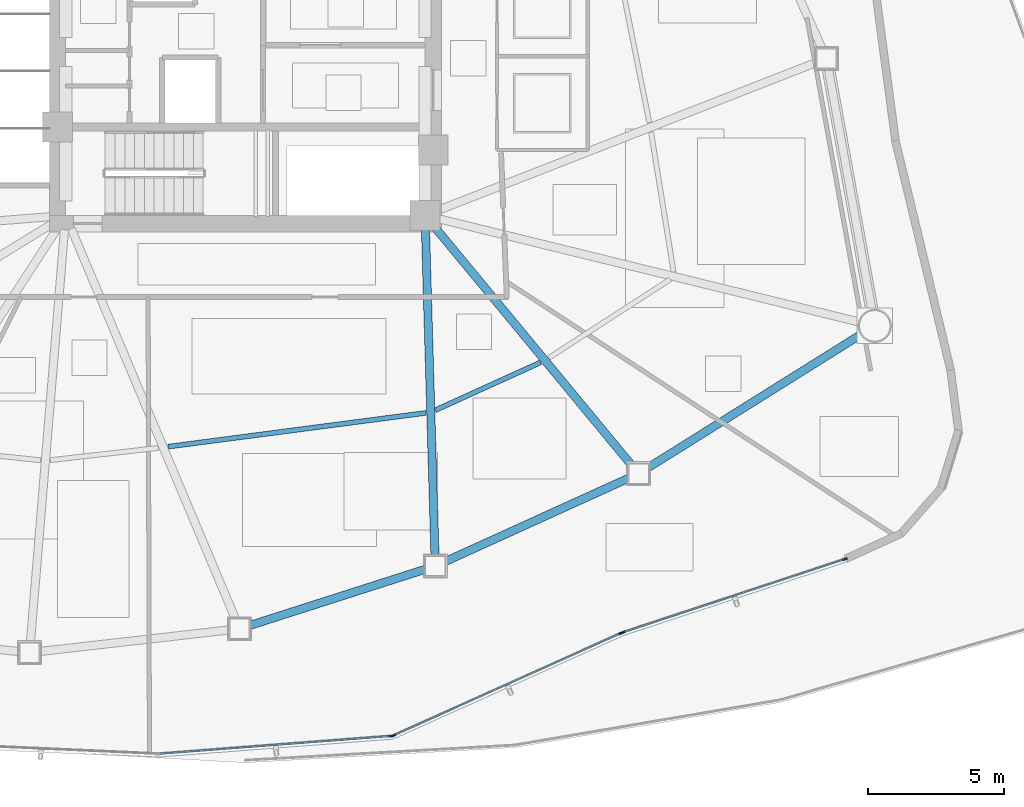
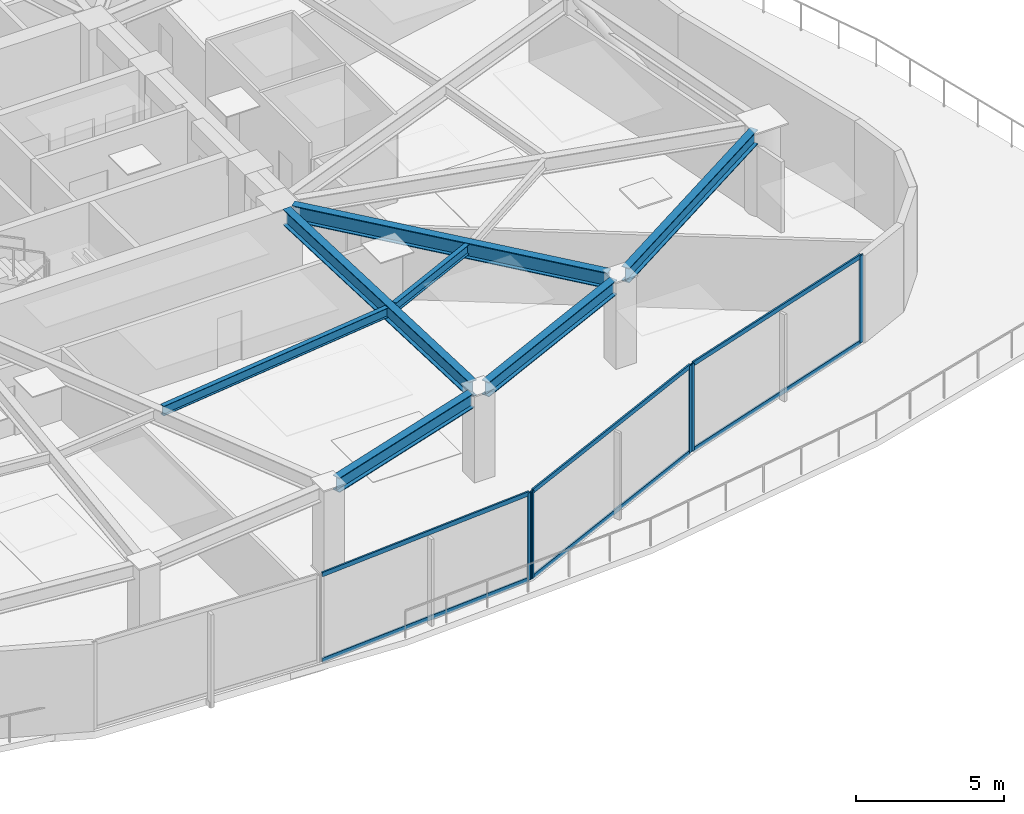
# One storey, part 5 of 19: 11 members, 7 beams, 3 elements without a shape of their own.
"""IFC4 building model written with IfcOpenShell, lengths in metres."""

from ifc_helpers import new_model, si_unit, direction, frame, origin, origin_2d, place, context, subcontext, project, spatial, hollow_rectangle, i_section, extrude, source, transform, mapped, material, layer, layer_set, material_profile, profile_set, type_object, type_shapes, element, aggregate, save


model = new_model("IFC4")

# Units and contexts
model_context = context("Model", 3, precision=1e-05, world=origin(), true_north=direction((0.0, 1.0)))
body_context = subcontext(model_context, "Body", "Model", "MODEL_VIEW")
ifc_project = project(units=[si_unit("LENGTHUNIT", "METRE"), si_unit("AREAUNIT", "SQUARE_METRE"), si_unit("VOLUMEUNIT", "CUBIC_METRE"), si_unit("PLANEANGLEUNIT", "RADIAN"), si_unit("MASSUNIT", "GRAM", prefix="KILO")], contexts=[model_context])

# Site, building, storey
site_placement = place(None, origin())
site = spatial("IfcSite", under=ifc_project, at=site_placement, CompositionType="ELEMENT")
building_placement = place(site_placement, origin())
building = spatial("IfcBuilding", under=site, at=building_placement, Name="Tavelor Broadcast Tower", CompositionType="ELEMENT")
storey_placement = place(building_placement, frame((0.0, 0.0, 27.60009765625)))
storey = spatial("IfcBuildingStorey", under=building, at=storey_placement, Name="L05", CompositionType="ELEMENT", Elevation=27.60009765625)

# Beams
ifc_material_1 = material(Name="Steel S355", Category="steel")
ifc_material_profile_1 = material_profile(ifc_material_1, i_section(OverallWidth=0.179931640625, OverallDepth=0.39990234375, WebThickness=0.008544921875, FlangeThickness=0.013427734375, at=origin_2d()), Name="IPE 400")
ifc_profile_set_1 = profile_set([ifc_material_profile_1], Name="Steel S355")
beam_type_1 = type_object("IfcBeamType", Name="Composite Floor Joist T1 IPE 400", PredefinedType="JOIST", material=ifc_profile_set_1)
beam_1_placement = place(storey_placement, frame((47.16259765625, 30.3056640625, 3.39990234375), z_axis=(0.991514230948, 0.129998191635, 0.0), x_axis=(-0.129998191635, 0.991514230948, 0.0)))
element("IfcBeam", 1, at=beam_1_placement, inside=storey, type_object=beam_type_1, Name="L05 Secondary Composite Floor Joist 10", PredefinedType="JOIST", context=body_context, shape_type="SweptSolid", body=[
    extrude(i_section(OverallWidth=0.179931640625, OverallDepth=0.39990234375, WebThickness=0.008544921875, FlangeThickness=0.013427734375, at=origin_2d()), origin(), (0.0, 0.0, 1.0), 9.5498046875),
])
beam_2_placement = place(storey_placement, frame((56.9755859375, 31.6455078125, 3.39990234375), z_axis=(0.910480737696, 0.413551479607, 0.0), x_axis=(-0.413551479607, 0.910480737696, 0.0)))
element("IfcBeam", 2, at=beam_2_placement, inside=storey, type_object=beam_type_1, Name="L05 Secondary Composite Floor Joist 11", PredefinedType="JOIST", context=body_context, shape_type="SweptSolid", body=[
    extrude(i_section(OverallWidth=0.179931640625, OverallDepth=0.39990234375, WebThickness=0.008544921875, FlangeThickness=0.013427734375, at=origin_2d()), origin(), (0.0, 0.0, 1.0), 4.242919921875),
])
ifc_material_profile_2 = material_profile(ifc_material_1, i_section(OverallWidth=0.300048828125, OverallDepth=0.60009765625, WebThickness=0.015380859375, FlangeThickness=0.030029296875, at=origin_2d()), Name="HEB 600")
ifc_profile_set_2 = profile_set([ifc_material_profile_2], Name="Steel S355")
beam_type_2 = type_object("IfcBeamType", Name="Perimeter Spandrel Beam T1 HEB 600", PredefinedType="SPANDREL", material=ifc_profile_set_2)
beam_3_placement = place(storey_placement, frame((50.15234375, 23.735107421875, 3.2998046875), z_axis=(0.952305764648, 0.305145425362, 0.0), x_axis=(-0.305145425362, 0.952305764648, 0.0)))
element("IfcBeam", 3, at=beam_3_placement, inside=storey, type_object=beam_type_2, Name="L05 Framed-Tube Ring Spandrel 10", PredefinedType="SPANDREL", context=body_context, shape_type="SweptSolid", body=[
    extrude(i_section(OverallWidth=0.300048828125, OverallDepth=0.60009765625, WebThickness=0.015380859375, FlangeThickness=0.030029296875, at=origin_2d()), origin(), (0.0, 0.0, 1.0), 6.78076171875),
])
beam_4_placement = place(storey_placement, frame((57.324951171875, 26.080322265625, 3.2998046875), z_axis=(0.910424944341, 0.413674293039, 0.0), x_axis=(-0.413674293039, 0.910424944341, 0.0)))
element("IfcBeam", 4, at=beam_4_placement, inside=storey, type_object=beam_type_2, Name="L05 Framed-Tube Ring Spandrel 11", PredefinedType="SPANDREL", context=body_context, shape_type="SweptSolid", body=[
    extrude(i_section(OverallWidth=0.300048828125, OverallDepth=0.60009765625, WebThickness=0.015380859375, FlangeThickness=0.030029296875, at=origin_2d()), origin(), (0.0, 0.0, 1.0), 7.43505859375),
])
beam_5_placement = place(storey_placement, frame((64.76904296875, 29.518798828125, 3.2998046875), z_axis=(0.847667977469, 0.530527096361, 0.0), x_axis=(-0.530527096361, 0.847667977469, 0.0)))
element("IfcBeam", 5, at=beam_5_placement, inside=storey, type_object=beam_type_2, Name="L05 Framed-Tube Ring Spandrel 12", PredefinedType="SPANDREL", context=body_context, shape_type="SweptSolid", body=[
    extrude(i_section(OverallWidth=0.300048828125, OverallDepth=0.60009765625, WebThickness=0.015380859375, FlangeThickness=0.030029296875, at=origin_2d()), origin(), (0.0, 0.0, 1.0), 9.263916015625),
])
ifc_material_profile_3 = material_profile(ifc_material_1, i_section(OverallWidth=0.300048828125, OverallDepth=0.64990234375, WebThickness=0.01611328125, FlangeThickness=0.031005859375, at=origin_2d()), Name="HEB 650")
ifc_profile_set_3 = profile_set([ifc_material_profile_3], Name="Steel S355")
beam_type_3 = type_object("IfcBeamType", Name="Radial Floor Girder T1 HEB 650", PredefinedType="BEAM", material=ifc_profile_set_3)
beam_6_placement = place(storey_placement, frame((56.615478515625, 38.272216796875, 3.27490234375), z_axis=(0.02912098859, -0.999575894079, 0.0), x_axis=(0.999575894079, 0.02912098859, 0.0)))
element("IfcBeam", 6, at=beam_6_placement, inside=storey, type_object=beam_type_3, Name="L05 Radial Primary Floor Girder 11", PredefinedType="BEAM", context=body_context, shape_type="SweptSolid", body=[
    extrude(i_section(OverallWidth=0.300048828125, OverallDepth=0.64990234375, WebThickness=0.01611328125, FlangeThickness=0.031005859375, at=origin_2d()), origin(), (0.0, 0.0, 1.0), 11.971923828125),
])
beam_7_placement = place(storey_placement, frame((56.9365234375, 38.39306640625, 3.27490234375), z_axis=(0.63726338108, -0.770646081632, 0.0), x_axis=(0.770646081632, 0.63726338108, 0.0)))
element("IfcBeam", 7, at=beam_7_placement, inside=storey, type_object=beam_type_3, Name="L05 Radial Primary Floor Girder 12", PredefinedType="BEAM", context=body_context, shape_type="SweptSolid", body=[
    extrude(i_section(OverallWidth=0.300048828125, OverallDepth=0.64990234375, WebThickness=0.01611328125, FlangeThickness=0.031005859375, at=origin_2d()), origin(), (0.0, 0.0, 1.0), 11.39599609375),
])

# Curtain wall, member
ifc_material_2 = material(Name="Architectural Anodized Aluminium", Category="aluminium")
ifc_layer = layer(ifc_material_2, 0.179931640625)
ifc_layer_set = layer_set([ifc_layer], Name="Architectural Anodized Aluminium")
curtain_wall_type = type_object("IfcCurtainWallType", Name="Tower Low-Zone Unitised Curtain Wall CW02", PredefinedType="NOTDEFINED", material=ifc_layer_set)
curtain_wall_1_placement = place(storey_placement, origin())
curtain_wall_1 = element("IfcCurtainWall", 8, at=curtain_wall_1_placement, inside=storey, type_object=curtain_wall_type, Name="L05 Curtain Wall CW02 Run 18", PredefinedType="NOTDEFINED")
ifc_material_profile_4 = material_profile(ifc_material_2, hollow_rectangle(XDim=0.06494140625, YDim=0.179931640625, WallThickness=0.02197265625, at=origin_2d()), Name="RHS 65x180x22")
ifc_profile_set_4 = profile_set([ifc_material_profile_4], Name="Architectural Anodized Aluminium")
member_type_1 = type_object("IfcMemberType", Name="CW02 Extruded Aluminium Mullion 65x180", PredefinedType="MULLION", material=ifc_profile_set_4)
shared_shape_1 = source(origin(), body_context, "Body", "SweptSolid", [
    extrude(hollow_rectangle(XDim=0.06494140625, YDim=0.179931640625, WallThickness=0.02197265625, at=origin_2d()), origin(), (0.0, 0.0, 1.0), 3.599853515625),
])
type_shapes(member_type_1, [shared_shape_1])
member_1_placement = place(storey_placement, frame((55.354736328125, 19.679931640625, 0.0), z_axis=(0.0, 0.0, 1.0), x_axis=(-0.076282494148, 0.997086245561, 0.0)))
member_1 = element("IfcMember", 9, at=member_1_placement, type_object=member_type_1, Name="CW02 mullion 2", PredefinedType="MULLION", context=body_context, shape_type="MappedRepresentation", body=[
    mapped(shared_shape_1, transform((0.0, 0.0, 0.0), scale=1.0)),
])

# Curtain wall, members
curtain_wall_2_placement = place(storey_placement, origin())
curtain_wall_2 = element("IfcCurtainWall", 10, at=curtain_wall_2_placement, inside=storey, type_object=curtain_wall_type, Name="L05 Curtain Wall CW02 Run 19", PredefinedType="NOTDEFINED")
member_2_placement = place(storey_placement, frame((55.4453125, 19.702880859375, 0.0), z_axis=(0.0, 0.0, 1.0), x_axis=(-0.410015062746, 0.912078751162, 0.0)))
member_2 = element("IfcMember", 11, at=member_2_placement, type_object=member_type_1, Name="CW02 mullion 1", PredefinedType="MULLION", context=body_context, shape_type="MappedRepresentation", body=[
    mapped(shared_shape_1, transform((0.0, 0.0, 0.0), scale=1.0)),
])
member_3_placement = place(storey_placement, frame((63.79345703125, 23.455810546875, 0.0), z_axis=(0.0, 0.0, 1.0), x_axis=(-0.410015062746, 0.912078751162, 0.0)))
member_3 = element("IfcMember", 12, at=member_3_placement, type_object=member_type_1, Name="CW02 mullion 2", PredefinedType="MULLION", context=body_context, shape_type="MappedRepresentation", body=[
    mapped(shared_shape_1, transform((0.0, 0.0, 0.0), scale=1.0)),
])

curtain_wall_3_placement = place(storey_placement, origin())
curtain_wall_3 = element("IfcCurtainWall", 13, at=curtain_wall_3_placement, inside=storey, type_object=curtain_wall_type, Name="L05 Curtain Wall CW02 Run 20", PredefinedType="NOTDEFINED")
member_4_placement = place(storey_placement, frame((63.882080078125, 23.490234375, 0.0), z_axis=(0.0, 0.0, 1.0), x_axis=(-0.313600576671, 0.94955498962, 0.0)))
member_4 = element("IfcMember", 14, at=member_4_placement, type_object=member_type_1, Name="CW02 mullion 1", PredefinedType="MULLION", context=body_context, shape_type="MappedRepresentation", body=[
    mapped(shared_shape_1, transform((0.0, 0.0, 0.0), scale=1.0)),
])
member_5_placement = place(storey_placement, frame((72.021484375, 26.17822265625, 0.0), z_axis=(0.0, 0.0, 1.0), x_axis=(-0.313600576671, 0.94955498962, 0.0)))
member_5 = element("IfcMember", 15, at=member_5_placement, type_object=member_type_1, Name="CW02 mullion 2", PredefinedType="MULLION", context=body_context, shape_type="MappedRepresentation", body=[
    mapped(shared_shape_1, transform((0.0, 0.0, 0.0), scale=1.0)),
])

# Member
ifc_material_profile_5 = material_profile(ifc_material_2, hollow_rectangle(XDim=0.06494140625, YDim=0.179931640625, WallThickness=0.02197265625, at=origin_2d()), Name="RHS 65x180x22")
ifc_profile_set_5 = profile_set([ifc_material_profile_5], Name="Architectural Anodized Aluminium")
member_type_2 = type_object("IfcMemberType", Name="CW02 Extruded Aluminium Transom 65x180", PredefinedType="USERDEFINED", material=ifc_profile_set_5)
shared_shape_2 = source(origin(), body_context, "Body", "SweptSolid", [
    extrude(hollow_rectangle(XDim=0.06494140625, YDim=0.179931640625, WallThickness=0.02197265625, at=origin_2d()), origin(), (0.0, 0.0, 1.0), 8.459228515625),
])
member_6_placement = place(storey_placement, frame((46.8876953125, 19.031982421875, 0.032470703125), z_axis=(0.997086484782, 0.076279367236, 0.0), x_axis=(-0.076279367236, 0.997086484782, 0.0)))
member_6 = element("IfcMember", 16, at=member_6_placement, type_object=member_type_2, Name="CW02 transom 1.1", ObjectType="TRANSOM", PredefinedType="USERDEFINED", context=body_context, shape_type="MappedRepresentation", body=[
    mapped(shared_shape_2, transform((0.0, 0.0, 0.0), scale=1.0)),
])

member_7_placement = place(storey_placement, frame((46.8876953125, 19.031982421875, 3.5673828125), z_axis=(0.997086484782, 0.076279367236, 0.0), x_axis=(-0.076279367236, 0.997086484782, 0.0)))
member_7 = element("IfcMember", 17, at=member_7_placement, type_object=member_type_2, Name="CW02 transom 1.2", ObjectType="TRANSOM", PredefinedType="USERDEFINED", context=body_context, shape_type="MappedRepresentation", body=[
    mapped(shared_shape_2, transform((0.0, 0.0, 0.0), scale=1.0)),
])

aggregate(curtain_wall_1, [member_1, member_6, member_7])

shared_shape_3 = source(origin(), body_context, "Body", "SweptSolid", [
    extrude(hollow_rectangle(XDim=0.06494140625, YDim=0.179931640625, WallThickness=0.02197265625, at=origin_2d()), origin(), (0.0, 0.0, 1.0), 9.087890625),
])
member_8_placement = place(storey_placement, frame((55.47509765625, 19.71630859375, 0.032470703125), z_axis=(0.912081785691, 0.410008312368, 0.0), x_axis=(-0.410008312368, 0.912081785691, 0.0)))
member_8 = element("IfcMember", 18, at=member_8_placement, type_object=member_type_2, Name="CW02 transom 1.1", ObjectType="TRANSOM", PredefinedType="USERDEFINED", context=body_context, shape_type="MappedRepresentation", body=[
    mapped(shared_shape_3, transform((0.0, 0.0, 0.0), scale=1.0)),
])

member_9_placement = place(storey_placement, frame((55.47509765625, 19.71630859375, 3.5673828125), z_axis=(0.912081785691, 0.410008312368, 0.0), x_axis=(-0.410008312368, 0.912081785691, 0.0)))
member_9 = element("IfcMember", 19, at=member_9_placement, type_object=member_type_2, Name="CW02 transom 1.2", ObjectType="TRANSOM", PredefinedType="USERDEFINED", context=body_context, shape_type="MappedRepresentation", body=[
    mapped(shared_shape_3, transform((0.0, 0.0, 0.0), scale=1.0)),
])

aggregate(curtain_wall_2, [member_2, member_3, member_8, member_9])

shared_shape_4 = source(origin(), body_context, "Body", "SweptSolid", [
    extrude(hollow_rectangle(XDim=0.06494140625, YDim=0.179931640625, WallThickness=0.02197265625, at=origin_2d()), origin(), (0.0, 0.0, 1.0), 8.5068359375),
])
type_shapes(member_type_2, [shared_shape_2, shared_shape_3, shared_shape_4])
member_10_placement = place(storey_placement, frame((63.912841796875, 23.50048828125, 0.032470703125), z_axis=(0.949555001393, 0.313600541021, 0.0), x_axis=(-0.313600541021, 0.949555001393, 0.0)))
member_10 = element("IfcMember", 20, at=member_10_placement, type_object=member_type_2, Name="CW02 transom 1.1", ObjectType="TRANSOM", PredefinedType="USERDEFINED", context=body_context, shape_type="MappedRepresentation", body=[
    mapped(shared_shape_4, transform((0.0, 0.0, 0.0), scale=1.0)),
])

member_11_placement = place(storey_placement, frame((63.912841796875, 23.50048828125, 3.5673828125), z_axis=(0.949555001393, 0.313600541021, 0.0), x_axis=(-0.313600541021, 0.949555001393, 0.0)))
member_11 = element("IfcMember", 21, at=member_11_placement, type_object=member_type_2, Name="CW02 transom 1.2", ObjectType="TRANSOM", PredefinedType="USERDEFINED", context=body_context, shape_type="MappedRepresentation", body=[
    mapped(shared_shape_4, transform((0.0, 0.0, 0.0), scale=1.0)),
])

aggregate(curtain_wall_3, [member_4, member_5, member_10, member_11])

save(model, "model.ifc")
